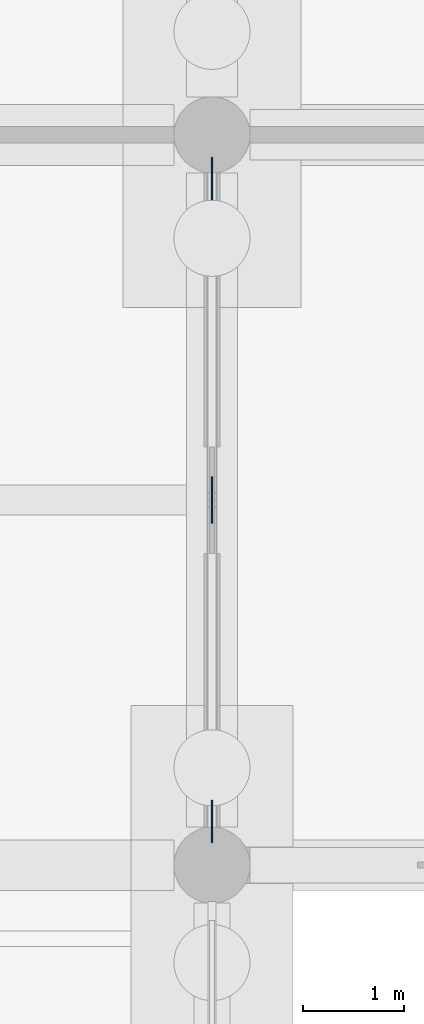
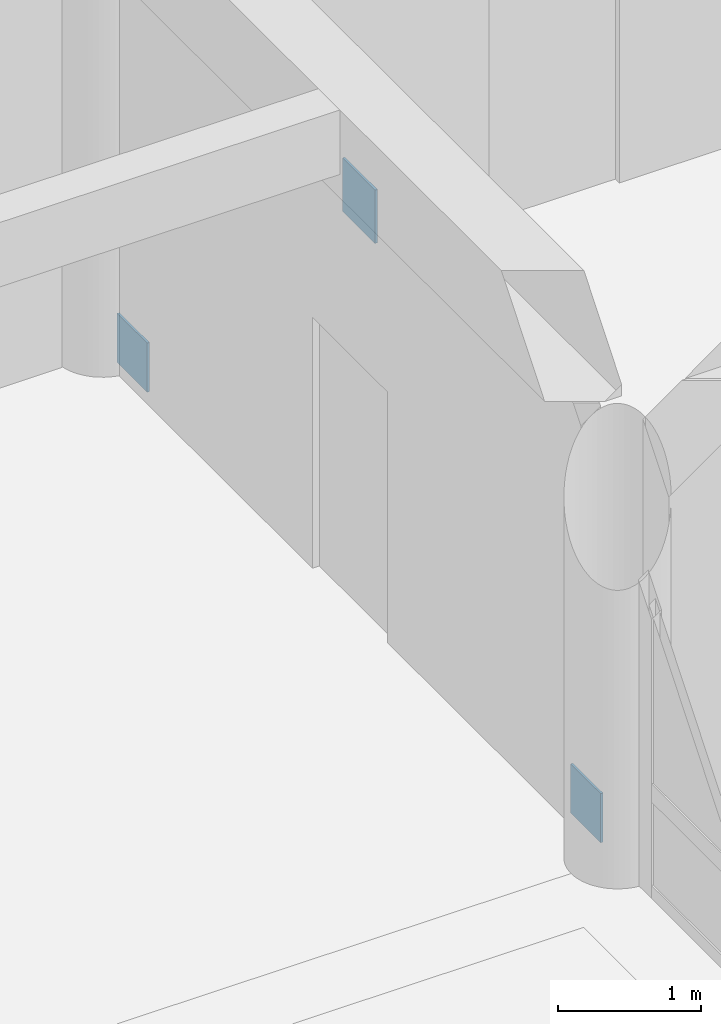
# One storey, part 55 of 79: 3 plates.
"""IFC4 building model written with IfcOpenShell, lengths in metres."""

import ifcopenshell
import ifcopenshell.guid

model = None  # the IFC model being written
_history = None  # IfcOwnerHistory: only IFC2X3 demands one
_inside = {}  # id of a spatial element -> (the spatial element, [elements in it])
_under = {}  # id of a project, library or spatial element -> (it, [spatial elements below it])
_declared = {}  # id of a project -> (the project, [libraries it declares])
_typed = {}  # id of a type object -> (the type object, [elements of that type])
_made_of = {}  # id of a material, layer set ... -> (it, [elements and type objects made of it])


def new_model(schema):
    """Start an empty IFC model of exactly this schema.

    Asked for "IFC4X3", IfcOpenShell would pick the latest addendum, in which some entities
    have other attributes; the version numbers below select the first issue.
    IFC2X3 requires an IfcOwnerHistory on every rooted entity: one is made here for all.
    """
    global model, _history
    if schema == "IFC4X3":
        model = ifcopenshell.file(schema_version=(4, 3, 0, 0))
    else:
        model = ifcopenshell.file(schema=schema)
    _inside.clear()
    _under.clear()
    _declared.clear()
    _typed.clear()
    _made_of.clear()
    _history = None
    if model.schema == "IFC2X3":
        org = make("IfcOrganization", Name="unknown")
        user = make(
            "IfcPersonAndOrganization",
            ThePerson=make("IfcPerson", FamilyName="unknown"),
            TheOrganization=org,
        )
        app = make(
            "IfcApplication",
            ApplicationDeveloper=org,
            Version="unknown",
            ApplicationFullName="unknown",
            ApplicationIdentifier="unknown",
        )
        _history = make(
            "IfcOwnerHistory",
            OwningUser=user,
            OwningApplication=app,
            ChangeAction="ADDED",
            CreationDate=0,
        )
    return model


def make(cls, **values):
    """One entity of the class cls with the attributes given. An attribute that is None is left unset."""
    return model.create_entity(
        cls, **{name: value for name, value in values.items() if value is not None}
    )


def rooted(cls, **values):
    """An entity with a GlobalId (a new one), such as an element, a storey or a relation."""
    return make(cls, GlobalId=ifcopenshell.guid.new(), OwnerHistory=_history, **values)


def si_unit(unit_type, name, prefix=None):
    """IfcSIUnit, for example si_unit("LENGTHUNIT", "METRE", prefix="MILLI")."""
    return make("IfcSIUnit", UnitType=unit_type, Prefix=prefix, Name=name)


def assignment(units):
    """IfcUnitAssignment: the units of a project."""
    return None if units is None else make("IfcUnitAssignment", Units=units)


def point(xyz):
    """IfcCartesianPoint."""
    return None if xyz is None else make("IfcCartesianPoint", Coordinates=xyz)


def direction(xyz):
    """IfcDirection."""
    return None if xyz is None else make("IfcDirection", DirectionRatios=xyz)


def frame(location, z_axis=None, x_axis=None):
    """IfcAxis2Placement3D, a coordinate frame: its origin and axes. An axis left out is left unset."""
    return make(
        "IfcAxis2Placement3D",
        Location=point(location),
        Axis=direction(z_axis),
        RefDirection=direction(x_axis),
    )


def frame_2d(location, x_axis=None):
    """IfcAxis2Placement2D, a coordinate frame in the plane: its origin and x axis."""
    return make(
        "IfcAxis2Placement2D", Location=point(location), RefDirection=direction(x_axis)
    )


def origin():
    """The frame at (0, 0, 0) with its axes left unset."""
    return frame((0.0, 0.0, 0.0))


def origin_2d():
    """The frame at (0, 0) in the plane with its x axis left unset."""
    return frame_2d((0.0, 0.0))


def place(relative_to, where):
    """IfcLocalPlacement: puts the frame where relative to a parent placement (None: the world)."""
    return make(
        "IfcLocalPlacement", PlacementRelTo=relative_to, RelativePlacement=where
    )


def context(
    kind, dimensions, precision=None, world=None, true_north=None, identifier=None
):
    """IfcGeometricRepresentationContext, for example the 3D "Model" context."""
    return make(
        "IfcGeometricRepresentationContext",
        ContextIdentifier=identifier,
        ContextType=kind,
        CoordinateSpaceDimension=dimensions,
        Precision=precision,
        WorldCoordinateSystem=world,
        TrueNorth=true_north,
    )


def subcontext(parent, identifier, kind, view, scale=None):
    """IfcGeometricRepresentationSubContext, for example "Body" below "Model"."""
    return make(
        "IfcGeometricRepresentationSubContext",
        ContextIdentifier=identifier,
        ContextType=kind,
        ParentContext=parent,
        TargetScale=scale,
        TargetView=view,
    )


def project(units=None, contexts=None):
    """IfcProject with its units and contexts."""
    return rooted(
        "IfcProject",
        Name="project",
        RepresentationContexts=contexts,
        UnitsInContext=assignment(units),
    )


def spatial(cls, under=None, at=None, **own):
    """A site, building, storey or space (cls), placed at a placement, below another one or the project."""
    s = rooted(cls, ObjectPlacement=at, **own)
    if under is not None:
        _under.setdefault(under.id(), (under, []))[1].append(s)
    return s


def profile(cls, at=None, kind="AREA", **sizes):
    """A parametric profile (cls). Its sizes go by their IFC names, for example OverallWidth=200.0."""
    return make(cls, ProfileType=kind, Position=at, **sizes)


def rectangle(**sizes):
    """IfcRectangleProfileDef."""
    return profile("IfcRectangleProfileDef", **sizes)


def extrude(swept, where, along, depth):
    """IfcExtrudedAreaSolid: the profile swept, set in the frame where, extruded along a direction by depth."""
    return make(
        "IfcExtrudedAreaSolid",
        SweptArea=swept,
        Position=where,
        ExtrudedDirection=direction(along),
        Depth=depth,
    )


def shape(context_of_items, identifier, shape_type, items):
    """IfcShapeRepresentation: the items that make up one representation, for example the "Body"."""
    return make(
        "IfcShapeRepresentation",
        ContextOfItems=context_of_items,
        RepresentationIdentifier=identifier,
        RepresentationType=shape_type,
        Items=items,
    )


def material(Name=None, Category=None):
    """IfcMaterial."""
    return make("IfcMaterial", Name=Name, Category=Category)


def layer(
    of_material, thickness, ventilated=None, Name=None, Category=None, Priority=None
):
    """IfcMaterialLayer: one layer of a wall or slab, of a material (None: an air gap)."""
    return make(
        "IfcMaterialLayer",
        Material=of_material,
        LayerThickness=thickness,
        IsVentilated=ventilated,
        Name=Name,
        Category=Category,
        Priority=Priority,
    )


def layer_set(layers, Name=None):
    """IfcMaterialLayerSet."""
    return make("IfcMaterialLayerSet", MaterialLayers=layers, LayerSetName=Name)


def made_of(thing, what):
    """Note that an element or type object is made of a material, layer set ...; save() writes the relation."""
    if what is not None:
        _made_of.setdefault(what.id(), (what, []))[1].append(thing)
    return thing


def type_object(cls, material=None, **own):
    """A type object (cls), such as IfcWallType, which elements share."""
    return made_of(rooted(cls, **own), material)


def element(
    cls,
    number,
    at=None,
    inside=None,
    cuts=None,
    type_object=None,
    material=None,
    context=None,
    identifier="Body",
    shape_type=None,
    held_by="IfcProductDefinitionShape",
    body=None,
    shapes=None,
    **own,
):
    """One element of the class cls, such as IfcWall. Its Tag is "e" and its number.

    at: its placement. inside: the storey or other place that contains it. cuts: it is an
    opening in that element (IfcRelVoidsElement). A single representation is given by context,
    identifier, shape_type and body (its items); several are given by shapes. held_by: the class
    of the entity that holds the representations. save() writes the other relations.
    """
    e = rooted(cls, Tag="e%d" % number, ObjectPlacement=at, **own)
    if body is not None:
        shapes = [shape(context, identifier, shape_type, body)]
    if shapes is not None:
        e.Representation = make(held_by, Representations=shapes)
    if inside is not None:
        _inside.setdefault(inside.id(), (inside, []))[1].append(e)
    if cuts is not None:
        rooted(
            "IfcRelVoidsElement", RelatingBuildingElement=cuts, RelatedOpeningElement=e
        )
    if type_object is not None:
        _typed.setdefault(type_object.id(), (type_object, []))[1].append(e)
    return made_of(e, material)


def aggregate(whole, parts):
    """IfcRelAggregates: a whole, such as a stair, and the parts it consists of."""
    return rooted("IfcRelAggregates", RelatingObject=whole, RelatedObjects=parts)


def save(model, path):
    """Write the relations noted so far, then the file.

    IfcRelAggregates (storeys below a building ...), IfcRelContainedInSpatialStructure (elements
    in a storey), IfcRelDefinesByType, IfcRelAssociatesMaterial and IfcRelDeclares: one each for
    every whole, place, type object, material and project.
    """
    for whole, parts in _under.values():
        aggregate(whole, parts)
    for where, things in _inside.values():
        rooted(
            "IfcRelContainedInSpatialStructure",
            RelatedElements=things,
            RelatingStructure=where,
        )
    for kind, things in _typed.values():
        rooted("IfcRelDefinesByType", RelatedObjects=things, RelatingType=kind)
    for what, things in _made_of.values():
        rooted("IfcRelAssociatesMaterial", RelatedObjects=things, RelatingMaterial=what)
    for by, libraries in _declared.values():
        rooted("IfcRelDeclares", RelatingContext=by, RelatedDefinitions=libraries)
    model.write(path)


model = new_model("IFC4")

# Units and contexts
model_context = context("Model", 3, precision=1e-05, world=origin(), true_north=direction((0.0, 1.0)))
body_context = subcontext(model_context, "Body", "Model", "MODEL_VIEW")
ifc_project = project(units=[si_unit("LENGTHUNIT", "METRE"), si_unit("AREAUNIT", "SQUARE_METRE"), si_unit("VOLUMEUNIT", "CUBIC_METRE"), si_unit("PLANEANGLEUNIT", "RADIAN"), si_unit("MASSUNIT", "GRAM", prefix="KILO")], contexts=[model_context])

# Site, building, storey
site_placement = place(None, origin())
site = spatial("IfcSite", under=ifc_project, at=site_placement, CompositionType="ELEMENT")
building_placement = place(site_placement, origin())
building = spatial("IfcBuilding", under=site, at=building_placement, Name="Kavelor Marine Aquarium", CompositionType="ELEMENT")
storey_placement = place(building_placement, origin())
storey = spatial("IfcBuildingStorey", under=building, at=storey_placement, Name="L00", CompositionType="ELEMENT", Elevation=0.0)

# Plates
ifc_material_1 = material(Name="Steel S355", Category="steel")
ifc_layer_1 = layer(ifc_material_1, 0.01953125)
ifc_layer_set_1 = layer_set([ifc_layer_1], Name="PL-GP11")
plate_type_1 = type_object("IfcPlateType", Name="PL-GP11", PredefinedType="SHEET", material=ifc_layer_set_1)
plate_placement = place(storey_placement, frame((154.39990234375, 71.199951171875, 3.202392578125), z_axis=(0.0, 0.0, 1.0), x_axis=(1.0, 0.0, 0.0)))
element("IfcPlate", 1, at=plate_placement, inside=storey, type_object=plate_type_1, Name="sbr:gp:m:3", PredefinedType="SHEET", context=body_context, shape_type="SweptSolid", body=[
    extrude(rectangle(XDim=0.01953125, YDim=0.455078125, at=origin_2d()), origin(), (0.0, 0.0, 1.0), 0.455078125),
])
ifc_material_2 = material(Name="Steel S355", Category="steel")
ifc_layer_2 = layer(ifc_material_2, 0.01806640625)
ifc_layer_set_2 = layer_set([ifc_layer_2], Name="PL-GP12")
plate_type_2 = type_object("IfcPlateType", Name="PL-GP12", PredefinedType="SHEET", material=ifc_layer_set_2)
for number, where, z_axis, x_axis, name in (
    (2, (154.39990234375, 68.030029296875, 0.0), (0.0, 0.0, 1.0), (1.0, 0.0, 0.0), "sbr:gp:a:3"),
    (3, (154.39990234375, 74.3701171875, 0.0), (0.0, 0.0, 1.0), (1.0, 0.0, 0.0), "sbr:gp:b:3"),
):
    element("IfcPlate", number, at=place(storey_placement, frame(where, z_axis=z_axis, x_axis=x_axis)), inside=storey, type_object=plate_type_2, Name=name, PredefinedType="SHEET", context=body_context, shape_type="SweptSolid", body=[
        extrude(rectangle(XDim=0.01806640625, YDim=0.419921875, at=origin_2d()), origin(), (0.0, 0.0, 1.0), 0.419921875),
    ])

save(model, "model.ifc")
